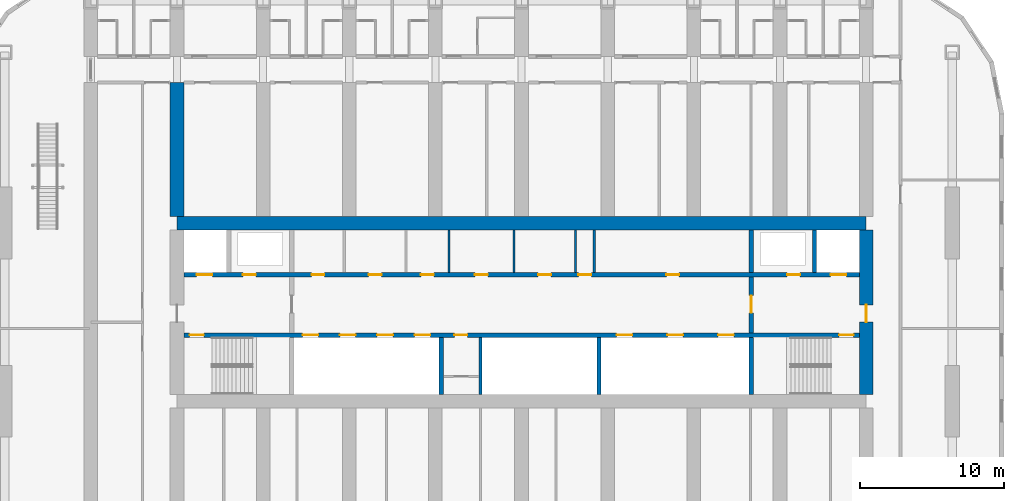
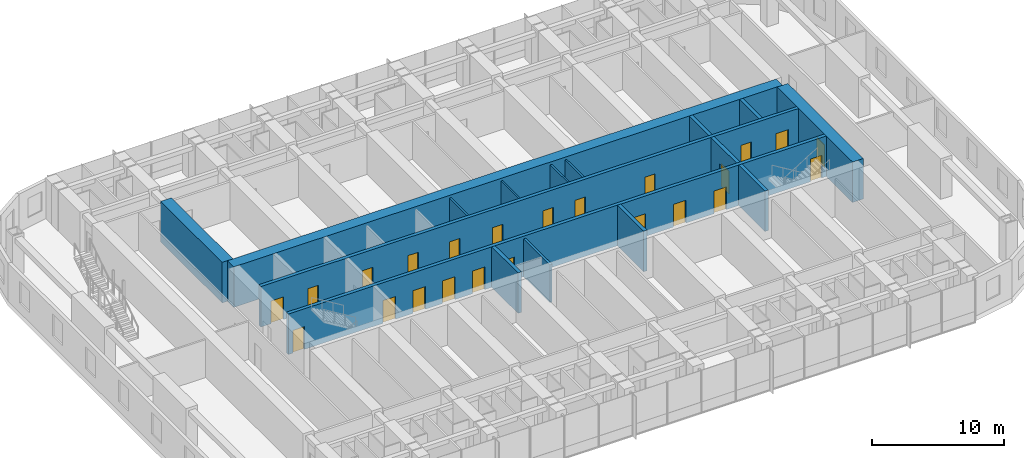
# One storey, part 14 of 25: 23 doors, 16 walls, 23 openings.
"""IFC4 building model written with IfcOpenShell, lengths in metres."""

from ifc_helpers import new_model, si_unit, direction, frame, frame_2d, origin, place, context, subcontext, project, spatial, rectangle, extrude, material, layer, layer_set, type_object, element, fill, save


model = new_model("IFC4")

# Units and contexts
model_context = context("Model", 3, precision=1e-05, world=origin(), true_north=direction((0.0, 1.0)))
body_context = subcontext(model_context, "Body", "Model", "MODEL_VIEW")
ifc_project = project(units=[si_unit("LENGTHUNIT", "METRE"), si_unit("AREAUNIT", "SQUARE_METRE"), si_unit("VOLUMEUNIT", "CUBIC_METRE"), si_unit("PLANEANGLEUNIT", "RADIAN"), si_unit("MASSUNIT", "GRAM", prefix="KILO")], contexts=[model_context])

# Site, building, storey
site_placement = place(None, origin())
site = spatial("IfcSite", under=ifc_project, at=site_placement, CompositionType="ELEMENT")
building_placement = place(site_placement, origin())
building = spatial("IfcBuilding", under=site, at=building_placement, Name="Orbita Commons", CompositionType="ELEMENT")
storey_placement = place(building_placement, frame((0.0, 0.0, 84.39990234375)))
storey = spatial("IfcBuildingStorey", under=building, at=storey_placement, Name="L20", CompositionType="ELEMENT", Elevation=84.39990234375)

# Wall, openings, doors
ifc_material_1 = material(Name="Concrete C50/60", Category="concrete")
ifc_layer_1 = layer(ifc_material_1, 0.300048828125)
ifc_layer_set_1 = layer_set([ifc_layer_1], Name="Concrete C50/60")
wall_type_1 = type_object("IfcWallType", Name="Core inner wall 300 C50/60", PredefinedType="SHEAR", material=ifc_layer_set_1)
wall_1_placement = place(storey_placement, frame((18.47509765625, 30.39990234375, 0.0), z_axis=(0.0, 0.0, 1.0), x_axis=(1.0, 0.0, 0.0)))
wall_1 = element("IfcWall", 1, at=wall_1_placement, inside=storey, type_object=wall_type_1, Name="Lobby wall south L20", PredefinedType="SHEAR", context=body_context, shape_type="SweptSolid", body=[
    extrude(rectangle(XDim=47.0498046875, YDim=0.300048828125, at=frame_2d((23.52490234375, 0.0))), origin(), (0.0, 0.0, 1.0), 3.75),
])
opening_1_placement = place(wall_1_placement, frame((0.39990234375, 0.0, 0.0)))
opening_1 = element("IfcOpeningElement", 2, at=opening_1_placement, cuts=wall_1, Name="Opening D02", PredefinedType="OPENING", context=body_context, shape_type="SweptSolid", body=[
    extrude(rectangle(XDim=1.0, YDim=2.10009765625, at=frame_2d((0.5, 1.050048828125))), frame((0.0, 0.159912109375, 0.0), z_axis=(0.0, -1.0, 0.0), x_axis=(1.0, 0.0, 0.0)), (0.0, 0.0, 1.0), 0.320068359375),
])
opening_2_placement = place(wall_1_placement, frame((45.64990234375, 0.0, 0.0)))
opening_2 = element("IfcOpeningElement", 3, at=opening_2_placement, cuts=wall_1, Name="Opening D02", PredefinedType="OPENING", context=body_context, shape_type="SweptSolid", body=[
    extrude(rectangle(XDim=1.0, YDim=2.10009765625, at=frame_2d((0.5, 1.050048828125))), frame((0.0, 0.159912109375, 0.0), z_axis=(0.0, -1.0, 0.0), x_axis=(1.0, 0.0, 0.0)), (0.0, 0.0, 1.0), 0.320068359375),
])
opening_3_placement = place(wall_1_placement, frame((8.27490234375, 0.0, 0.0)))
opening_3 = element("IfcOpeningElement", 4, at=opening_3_placement, cuts=wall_1, Name="Opening LD02", PredefinedType="OPENING", context=body_context, shape_type="SweptSolid", body=[
    extrude(rectangle(XDim=1.10009765625, YDim=2.10009765625, at=frame_2d((0.550048828125, 1.050048828125))), frame((0.0, 0.159912109375, 0.0), z_axis=(0.0, -1.0, 0.0), x_axis=(1.0, 0.0, 0.0)), (0.0, 0.0, 1.0), 0.320068359375),
])
opening_4_placement = place(wall_1_placement, frame((10.875, 0.0, 0.0)))
opening_4 = element("IfcOpeningElement", 5, at=opening_4_placement, cuts=wall_1, Name="Opening LD02", PredefinedType="OPENING", context=body_context, shape_type="SweptSolid", body=[
    extrude(rectangle(XDim=1.10009765625, YDim=2.10009765625, at=frame_2d((0.550048828125, 1.050048828125))), frame((0.0, 0.159912109375, 0.0), z_axis=(0.0, -1.0, 0.0), x_axis=(1.0, 0.0, 0.0)), (0.0, 0.0, 1.0), 0.320068359375),
])
opening_5_placement = place(wall_1_placement, frame((13.47509765625, 0.0, 0.0)))
opening_5 = element("IfcOpeningElement", 6, at=opening_5_placement, cuts=wall_1, Name="Opening LD02", PredefinedType="OPENING", context=body_context, shape_type="SweptSolid", body=[
    extrude(rectangle(XDim=1.10009765625, YDim=2.10009765625, at=frame_2d((0.550048828125, 1.050048828125))), frame((0.0, 0.159912109375, 0.0), z_axis=(0.0, -1.0, 0.0), x_axis=(1.0, 0.0, 0.0)), (0.0, 0.0, 1.0), 0.320068359375),
])
opening_6_placement = place(wall_1_placement, frame((16.074951171875, 0.0, 0.0)))
opening_6 = element("IfcOpeningElement", 7, at=opening_6_placement, cuts=wall_1, Name="Opening LD02", PredefinedType="OPENING", context=body_context, shape_type="SweptSolid", body=[
    extrude(rectangle(XDim=1.10009765625, YDim=2.10009765625, at=frame_2d((0.550048828125, 1.050048828125))), frame((0.0, 0.159912109375, 0.0), z_axis=(0.0, -1.0, 0.0), x_axis=(1.0, 0.0, 0.0)), (0.0, 0.0, 1.0), 0.320068359375),
])
opening_7_placement = place(wall_1_placement, frame((18.85009765625, 0.0, 0.0)))
opening_7 = element("IfcOpeningElement", 8, at=opening_7_placement, cuts=wall_1, Name="Opening D05", PredefinedType="OPENING", context=body_context, shape_type="SweptSolid", body=[
    extrude(rectangle(XDim=0.89990234375, YDim=2.10009765625, at=frame_2d((0.449951171875, 1.050048828125))), frame((0.0, 0.159912109375, 0.0), z_axis=(0.0, -1.0, 0.0), x_axis=(1.0, 0.0, 0.0)), (0.0, 0.0, 1.0), 0.320068359375),
])
opening_8_placement = place(wall_1_placement, frame((30.1416015625, 0.0, 0.0)))
opening_8 = element("IfcOpeningElement", 9, at=opening_8_placement, cuts=wall_1, Name="Opening LD02", PredefinedType="OPENING", context=body_context, shape_type="SweptSolid", body=[
    extrude(rectangle(XDim=1.10009765625, YDim=2.10009765625, at=frame_2d((0.550048828125, 1.050048828125))), frame((0.0, 0.159912109375, 0.0), z_axis=(0.0, -1.0, 0.0), x_axis=(1.0, 0.0, 0.0)), (0.0, 0.0, 1.0), 0.320068359375),
])
opening_9_placement = place(wall_1_placement, frame((33.675048828125, 0.0, 0.0)))
opening_9 = element("IfcOpeningElement", 10, at=opening_9_placement, cuts=wall_1, Name="Opening LD02", PredefinedType="OPENING", context=body_context, shape_type="SweptSolid", body=[
    extrude(rectangle(XDim=1.10009765625, YDim=2.10009765625, at=frame_2d((0.550048828125, 1.050048828125))), frame((0.0, 0.159912109375, 0.0), z_axis=(0.0, -1.0, 0.0), x_axis=(1.0, 0.0, 0.0)), (0.0, 0.0, 1.0), 0.320068359375),
])
opening_10_placement = place(wall_1_placement, frame((37.208251953125, 0.0, 0.0)))
opening_10 = element("IfcOpeningElement", 11, at=opening_10_placement, cuts=wall_1, Name="Opening LD02", PredefinedType="OPENING", context=body_context, shape_type="SweptSolid", body=[
    extrude(rectangle(XDim=1.10009765625, YDim=2.10009765625, at=frame_2d((0.550048828125, 1.050048828125))), frame((0.0, 0.159912109375, 0.0), z_axis=(0.0, -1.0, 0.0), x_axis=(1.0, 0.0, 0.0)), (0.0, 0.0, 1.0), 0.320068359375),
])
ifc_material_2 = material(Name="Steel-faced fire door leaf", Category="steel")
door_type_1 = type_object("IfcDoorType", Name="Fire door 90 min 1000x2100", OperationType="SINGLE_SWING_LEFT", PredefinedType="DOOR", material=ifc_material_2)
door_1_placement = place(opening_1_placement, origin())
door_1 = element("IfcDoor", 12, at=door_1_placement, inside=storey, type_object=door_type_1, Name="Stair S1 door", OperationType="SINGLE_SWING_LEFT", OverallHeight=2.10009765625, OverallWidth=1.0, PredefinedType="DOOR", context=body_context, shape_type="SweptSolid", body=[
    extrude(rectangle(XDim=1.0, YDim=2.10009765625, at=frame_2d((0.5, 1.050048828125))), frame((0.0, 0.02490234375, 0.0), z_axis=(0.0, -1.0, 0.0), x_axis=(1.0, 0.0, 0.0)), (0.0, 0.0, 1.0), 0.050048828125),
])
fill(opening_1, door_1)
door_2_placement = place(opening_2_placement, origin())
door_2 = element("IfcDoor", 13, at=door_2_placement, inside=storey, type_object=door_type_1, Name="Stair S2 door", OperationType="SINGLE_SWING_LEFT", OverallHeight=2.10009765625, OverallWidth=1.0, PredefinedType="DOOR", context=body_context, shape_type="SweptSolid", body=[
    extrude(rectangle(XDim=1.0, YDim=2.10009765625, at=frame_2d((0.5, 1.050048828125))), frame((0.0, 0.02490234375, 0.0), z_axis=(0.0, -1.0, 0.0), x_axis=(1.0, 0.0, 0.0)), (0.0, 0.0, 1.0), 0.050048828125),
])
fill(opening_2, door_2)
ifc_material_3 = material(Name="Steel-faced fire door leaf", Category="steel")
door_type_2 = type_object("IfcDoorType", Name="Lift landing door 1100x2100", OperationType="DOUBLE_DOOR_SLIDING", PredefinedType="DOOR", material=ifc_material_3)
door_3_placement = place(opening_3_placement, origin())
door_3 = element("IfcDoor", 14, at=door_3_placement, inside=storey, type_object=door_type_2, Name="Lift P21 landing door", OperationType="DOUBLE_DOOR_SLIDING", OverallHeight=2.10009765625, OverallWidth=1.10009765625, PredefinedType="DOOR", context=body_context, shape_type="SweptSolid", body=[
    extrude(rectangle(XDim=1.10009765625, YDim=2.10009765625, at=frame_2d((0.550048828125, 1.050048828125))), frame((0.0, 0.02490234375, 0.0), z_axis=(0.0, -1.0, 0.0), x_axis=(1.0, 0.0, 0.0)), (0.0, 0.0, 1.0), 0.050048828125),
])
fill(opening_3, door_3)
door_4_placement = place(opening_4_placement, origin())
door_4 = element("IfcDoor", 15, at=door_4_placement, inside=storey, type_object=door_type_2, Name="Lift P22 landing door", OperationType="DOUBLE_DOOR_SLIDING", OverallHeight=2.10009765625, OverallWidth=1.10009765625, PredefinedType="DOOR", context=body_context, shape_type="SweptSolid", body=[
    extrude(rectangle(XDim=1.10009765625, YDim=2.10009765625, at=frame_2d((0.550048828125, 1.050048828125))), frame((0.0, 0.02490234375, 0.0), z_axis=(0.0, -1.0, 0.0), x_axis=(1.0, 0.0, 0.0)), (0.0, 0.0, 1.0), 0.050048828125),
])
fill(opening_4, door_4)
door_5_placement = place(opening_5_placement, origin())
door_5 = element("IfcDoor", 16, at=door_5_placement, inside=storey, type_object=door_type_2, Name="Lift P23 landing door", OperationType="DOUBLE_DOOR_SLIDING", OverallHeight=2.10009765625, OverallWidth=1.10009765625, PredefinedType="DOOR", context=body_context, shape_type="SweptSolid", body=[
    extrude(rectangle(XDim=1.10009765625, YDim=2.10009765625, at=frame_2d((0.550048828125, 1.050048828125))), frame((0.0, 0.02490234375, 0.0), z_axis=(0.0, -1.0, 0.0), x_axis=(1.0, 0.0, 0.0)), (0.0, 0.0, 1.0), 0.050048828125),
])
fill(opening_5, door_5)
door_6_placement = place(opening_6_placement, origin())
door_6 = element("IfcDoor", 17, at=door_6_placement, inside=storey, type_object=door_type_2, Name="Lift P24 landing door", OperationType="DOUBLE_DOOR_SLIDING", OverallHeight=2.10009765625, OverallWidth=1.10009765625, PredefinedType="DOOR", context=body_context, shape_type="SweptSolid", body=[
    extrude(rectangle(XDim=1.10009765625, YDim=2.10009765625, at=frame_2d((0.550048828125, 1.050048828125))), frame((0.0, 0.02490234375, 0.0), z_axis=(0.0, -1.0, 0.0), x_axis=(1.0, 0.0, 0.0)), (0.0, 0.0, 1.0), 0.050048828125),
])
fill(opening_6, door_6)
door_7_placement = place(opening_8_placement, origin())
door_7 = element("IfcDoor", 18, at=door_7_placement, inside=storey, type_object=door_type_2, Name="Lift SV1 landing door", OperationType="DOUBLE_DOOR_SLIDING", OverallHeight=2.10009765625, OverallWidth=1.10009765625, PredefinedType="DOOR", context=body_context, shape_type="SweptSolid", body=[
    extrude(rectangle(XDim=1.10009765625, YDim=2.10009765625, at=frame_2d((0.550048828125, 1.050048828125))), frame((0.0, 0.02490234375, 0.0), z_axis=(0.0, -1.0, 0.0), x_axis=(1.0, 0.0, 0.0)), (0.0, 0.0, 1.0), 0.050048828125),
])
fill(opening_8, door_7)
door_8_placement = place(opening_9_placement, origin())
door_8 = element("IfcDoor", 19, at=door_8_placement, inside=storey, type_object=door_type_2, Name="Lift SV2 landing door", OperationType="DOUBLE_DOOR_SLIDING", OverallHeight=2.10009765625, OverallWidth=1.10009765625, PredefinedType="DOOR", context=body_context, shape_type="SweptSolid", body=[
    extrude(rectangle(XDim=1.10009765625, YDim=2.10009765625, at=frame_2d((0.550048828125, 1.050048828125))), frame((0.0, 0.02490234375, 0.0), z_axis=(0.0, -1.0, 0.0), x_axis=(1.0, 0.0, 0.0)), (0.0, 0.0, 1.0), 0.050048828125),
])
fill(opening_9, door_8)
door_9_placement = place(opening_10_placement, origin())
door_9 = element("IfcDoor", 20, at=door_9_placement, inside=storey, type_object=door_type_2, Name="Lift SV3 landing door", OperationType="DOUBLE_DOOR_SLIDING", OverallHeight=2.10009765625, OverallWidth=1.10009765625, PredefinedType="DOOR", context=body_context, shape_type="SweptSolid", body=[
    extrude(rectangle(XDim=1.10009765625, YDim=2.10009765625, at=frame_2d((0.550048828125, 1.050048828125))), frame((0.0, 0.02490234375, 0.0), z_axis=(0.0, -1.0, 0.0), x_axis=(1.0, 0.0, 0.0)), (0.0, 0.0, 1.0), 0.050048828125),
])
fill(opening_10, door_9)
ifc_material_4 = material(Name="Steel-faced fire door leaf", Category="steel")
door_type_3 = type_object("IfcDoorType", Name="Service door 20 min 900x2100", OperationType="SINGLE_SWING_LEFT", PredefinedType="DOOR", material=ifc_material_4)
door_10_placement = place(opening_7_placement, origin())
door_10 = element("IfcDoor", 21, at=door_10_placement, inside=storey, type_object=door_type_3, Name="Linen store door", OperationType="SINGLE_SWING_LEFT", OverallHeight=2.10009765625, OverallWidth=0.89990234375, PredefinedType="DOOR", context=body_context, shape_type="SweptSolid", body=[
    extrude(rectangle(XDim=0.89990234375, YDim=2.10009765625, at=frame_2d((0.449951171875, 1.050048828125))), frame((0.0, 0.02490234375, 0.0), z_axis=(0.0, -1.0, 0.0), x_axis=(1.0, 0.0, 0.0)), (0.0, 0.0, 1.0), 0.050048828125),
])
fill(opening_7, door_10)

wall_2_placement = place(storey_placement, frame((18.47509765625, 34.60009765625, 0.0), z_axis=(0.0, 0.0, 1.0), x_axis=(1.0, 0.0, 0.0)))
wall_2 = element("IfcWall", 22, at=wall_2_placement, inside=storey, type_object=wall_type_1, Name="Lobby wall north L20", PredefinedType="SHEAR", context=body_context, shape_type="SweptSolid", body=[
    extrude(rectangle(XDim=47.0498046875, YDim=0.300048828125, at=frame_2d((23.52490234375, 0.0))), origin(), (0.0, 0.0, 1.0), 3.75),
])
opening_11_placement = place(wall_2_placement, frame((0.89990234375, 0.0, 0.0)))
opening_11 = element("IfcOpeningElement", 23, at=opening_11_placement, cuts=wall_2, Name="Opening LD01", PredefinedType="OPENING", context=body_context, shape_type="SweptSolid", body=[
    extrude(rectangle(XDim=1.10009765625, YDim=2.10009765625, at=frame_2d((0.550048828125, 1.050048828125))), frame((0.0, 0.159912109375, 0.0), z_axis=(0.0, -1.0, 0.0), x_axis=(1.0, 0.0, 0.0)), (0.0, 0.0, 1.0), 0.320068359375),
])
opening_12_placement = place(wall_2_placement, frame((45.050048828125, 0.0, 0.0)))
opening_12 = element("IfcOpeningElement", 24, at=opening_12_placement, cuts=wall_2, Name="Opening LD01", PredefinedType="OPENING", context=body_context, shape_type="SweptSolid", body=[
    extrude(rectangle(XDim=1.10009765625, YDim=2.10009765625, at=frame_2d((0.550048828125, 1.050048828125))), frame((0.0, 0.159912109375, 0.0), z_axis=(0.0, -1.0, 0.0), x_axis=(1.0, 0.0, 0.0)), (0.0, 0.0, 1.0), 0.320068359375),
])
opening_13_placement = place(wall_2_placement, frame((4.125, 0.0, 0.0)))
opening_13 = element("IfcOpeningElement", 25, at=opening_13_placement, cuts=wall_2, Name="Opening D03", PredefinedType="OPENING", context=body_context, shape_type="SweptSolid", body=[
    extrude(rectangle(XDim=0.89990234375, YDim=2.10009765625, at=frame_2d((0.449951171875, 1.050048828125))), frame((0.0, 0.159912109375, 0.0), z_axis=(0.0, -1.0, 0.0), x_axis=(1.0, 0.0, 0.0)), (0.0, 0.0, 1.0), 0.320068359375),
])
opening_14_placement = place(wall_2_placement, frame((42.02490234375, 0.0, 0.0)))
opening_14 = element("IfcOpeningElement", 26, at=opening_14_placement, cuts=wall_2, Name="Opening D03", PredefinedType="OPENING", context=body_context, shape_type="SweptSolid", body=[
    extrude(rectangle(XDim=0.89990234375, YDim=2.10009765625, at=frame_2d((0.449951171875, 1.050048828125))), frame((0.0, 0.159912109375, 0.0), z_axis=(0.0, -1.0, 0.0), x_axis=(1.0, 0.0, 0.0)), (0.0, 0.0, 1.0), 0.320068359375),
])
opening_15_placement = place(wall_2_placement, frame((8.900390625, 0.0, 0.0)))
opening_15 = element("IfcOpeningElement", 27, at=opening_15_placement, cuts=wall_2, Name="Opening D05", PredefinedType="OPENING", context=body_context, shape_type="SweptSolid", body=[
    extrude(rectangle(XDim=0.89990234375, YDim=2.10009765625, at=frame_2d((0.449951171875, 1.050048828125))), frame((0.0, 0.159912109375, 0.0), z_axis=(0.0, -1.0, 0.0), x_axis=(1.0, 0.0, 0.0)), (0.0, 0.0, 1.0), 0.320068359375),
])
opening_16_placement = place(wall_2_placement, frame((12.873779296875, 0.0, 0.0)))
opening_16 = element("IfcOpeningElement", 28, at=opening_16_placement, cuts=wall_2, Name="Opening D03", PredefinedType="OPENING", context=body_context, shape_type="SweptSolid", body=[
    extrude(rectangle(XDim=0.89990234375, YDim=2.10009765625, at=frame_2d((0.449951171875, 1.050048828125))), frame((0.0, 0.159912109375, 0.0), z_axis=(0.0, -1.0, 0.0), x_axis=(1.0, 0.0, 0.0)), (0.0, 0.0, 1.0), 0.320068359375),
])
opening_17_placement = place(wall_2_placement, frame((16.521240234375, 0.0, 0.0)))
opening_17 = element("IfcOpeningElement", 29, at=opening_17_placement, cuts=wall_2, Name="Opening D03", PredefinedType="OPENING", context=body_context, shape_type="SweptSolid", body=[
    extrude(rectangle(XDim=0.89990234375, YDim=2.10009765625, at=frame_2d((0.449951171875, 1.050048828125))), frame((0.0, 0.159912109375, 0.0), z_axis=(0.0, -1.0, 0.0), x_axis=(1.0, 0.0, 0.0)), (0.0, 0.0, 1.0), 0.320068359375),
])
opening_18_placement = place(wall_2_placement, frame((20.27978515625, 0.0, 0.0)))
opening_18 = element("IfcOpeningElement", 30, at=opening_18_placement, cuts=wall_2, Name="Opening D05", PredefinedType="OPENING", context=body_context, shape_type="SweptSolid", body=[
    extrude(rectangle(XDim=0.89990234375, YDim=2.10009765625, at=frame_2d((0.449951171875, 1.050048828125))), frame((0.0, 0.159912109375, 0.0), z_axis=(0.0, -1.0, 0.0), x_axis=(1.0, 0.0, 0.0)), (0.0, 0.0, 1.0), 0.320068359375),
])
opening_19_placement = place(wall_2_placement, frame((24.685791015625, 0.0, 0.0)))
opening_19 = element("IfcOpeningElement", 31, at=opening_19_placement, cuts=wall_2, Name="Opening D03", PredefinedType="OPENING", context=body_context, shape_type="SweptSolid", body=[
    extrude(rectangle(XDim=0.89990234375, YDim=2.10009765625, at=frame_2d((0.449951171875, 1.050048828125))), frame((0.0, 0.159912109375, 0.0), z_axis=(0.0, -1.0, 0.0), x_axis=(1.0, 0.0, 0.0)), (0.0, 0.0, 1.0), 0.320068359375),
])
opening_20_placement = place(wall_2_placement, frame((27.4833984375, 0.0, 0.0)))
opening_20 = element("IfcOpeningElement", 32, at=opening_20_placement, cuts=wall_2, Name="Opening D03", PredefinedType="OPENING", context=body_context, shape_type="SweptSolid", body=[
    extrude(rectangle(XDim=0.89990234375, YDim=2.10009765625, at=frame_2d((0.449951171875, 1.050048828125))), frame((0.0, 0.159912109375, 0.0), z_axis=(0.0, -1.0, 0.0), x_axis=(1.0, 0.0, 0.0)), (0.0, 0.0, 1.0), 0.320068359375),
])
opening_21_placement = place(wall_2_placement, frame((33.604248046875, 0.0, 0.0)))
opening_21 = element("IfcOpeningElement", 33, at=opening_21_placement, cuts=wall_2, Name="Opening D03", PredefinedType="OPENING", context=body_context, shape_type="SweptSolid", body=[
    extrude(rectangle(XDim=0.89990234375, YDim=2.10009765625, at=frame_2d((0.449951171875, 1.050048828125))), frame((0.0, 0.159912109375, 0.0), z_axis=(0.0, -1.0, 0.0), x_axis=(1.0, 0.0, 0.0)), (0.0, 0.0, 1.0), 0.320068359375),
])
ifc_material_5 = material(Name="Steel-faced fire door leaf", Category="steel")
door_type_4 = type_object("IfcDoorType", Name="Firefighting lift landing door 1100x2100", OperationType="DOUBLE_DOOR_SLIDING", PredefinedType="DOOR", material=ifc_material_5)
door_11_placement = place(opening_11_placement, origin())
door_11 = element("IfcDoor", 34, at=door_11_placement, inside=storey, type_object=door_type_4, Name="Firefighting lift FL1 landing door", OperationType="DOUBLE_DOOR_SLIDING", OverallHeight=2.10009765625, OverallWidth=1.10009765625, PredefinedType="DOOR", context=body_context, shape_type="SweptSolid", body=[
    extrude(rectangle(XDim=1.10009765625, YDim=2.10009765625, at=frame_2d((0.550048828125, 1.050048828125))), frame((0.0, 0.02490234375, 0.0), z_axis=(0.0, -1.0, 0.0), x_axis=(1.0, 0.0, 0.0)), (0.0, 0.0, 1.0), 0.050048828125),
])
fill(opening_11, door_11)
door_12_placement = place(opening_12_placement, origin())
door_12 = element("IfcDoor", 35, at=door_12_placement, inside=storey, type_object=door_type_4, Name="Firefighting lift FL2 landing door", OperationType="DOUBLE_DOOR_SLIDING", OverallHeight=2.10009765625, OverallWidth=1.10009765625, PredefinedType="DOOR", context=body_context, shape_type="SweptSolid", body=[
    extrude(rectangle(XDim=1.10009765625, YDim=2.10009765625, at=frame_2d((0.550048828125, 1.050048828125))), frame((0.0, 0.02490234375, 0.0), z_axis=(0.0, -1.0, 0.0), x_axis=(1.0, 0.0, 0.0)), (0.0, 0.0, 1.0), 0.050048828125),
])
fill(opening_12, door_12)
door_13_placement = place(opening_15_placement, origin())
door_13 = element("IfcDoor", 36, at=door_13_placement, inside=storey, type_object=door_type_3, Name="Staff WC door", OperationType="SINGLE_SWING_LEFT", OverallHeight=2.10009765625, OverallWidth=0.89990234375, PredefinedType="DOOR", context=body_context, shape_type="SweptSolid", body=[
    extrude(rectangle(XDim=0.89990234375, YDim=2.10009765625, at=frame_2d((0.449951171875, 1.050048828125))), frame((0.0, 0.02490234375, 0.0), z_axis=(0.0, -1.0, 0.0), x_axis=(1.0, 0.0, 0.0)), (0.0, 0.0, 1.0), 0.050048828125),
])
fill(opening_15, door_13)
door_14_placement = place(opening_18_placement, origin())
door_14 = element("IfcDoor", 37, at=door_14_placement, inside=storey, type_object=door_type_3, Name="Accessible WC door", OperationType="SINGLE_SWING_LEFT", OverallHeight=2.10009765625, OverallWidth=0.89990234375, PredefinedType="DOOR", context=body_context, shape_type="SweptSolid", body=[
    extrude(rectangle(XDim=0.89990234375, YDim=2.10009765625, at=frame_2d((0.449951171875, 1.050048828125))), frame((0.0, 0.02490234375, 0.0), z_axis=(0.0, -1.0, 0.0), x_axis=(1.0, 0.0, 0.0)), (0.0, 0.0, 1.0), 0.050048828125),
])
fill(opening_18, door_14)
ifc_material_6 = material(Name="Steel-faced fire door leaf", Category="steel")
door_type_5 = type_object("IfcDoorType", Name="Shaft access door 90 min 900x2100", OperationType="SINGLE_SWING_LEFT", PredefinedType="DOOR", material=ifc_material_6)
door_15_placement = place(opening_13_placement, origin())
door_15 = element("IfcDoor", 38, at=door_15_placement, inside=storey, type_object=door_type_5, Name="Riser door west", OperationType="SINGLE_SWING_LEFT", OverallHeight=2.10009765625, OverallWidth=0.89990234375, PredefinedType="DOOR", context=body_context, shape_type="SweptSolid", body=[
    extrude(rectangle(XDim=0.89990234375, YDim=2.10009765625, at=frame_2d((0.449951171875, 1.050048828125))), frame((0.0, 0.02490234375, 0.0), z_axis=(0.0, -1.0, 0.0), x_axis=(1.0, 0.0, 0.0)), (0.0, 0.0, 1.0), 0.050048828125),
])
fill(opening_13, door_15)
door_16_placement = place(opening_14_placement, origin())
door_16 = element("IfcDoor", 39, at=door_16_placement, inside=storey, type_object=door_type_5, Name="Riser door east", OperationType="SINGLE_SWING_LEFT", OverallHeight=2.10009765625, OverallWidth=0.89990234375, PredefinedType="DOOR", context=body_context, shape_type="SweptSolid", body=[
    extrude(rectangle(XDim=0.89990234375, YDim=2.10009765625, at=frame_2d((0.449951171875, 1.050048828125))), frame((0.0, 0.02490234375, 0.0), z_axis=(0.0, -1.0, 0.0), x_axis=(1.0, 0.0, 0.0)), (0.0, 0.0, 1.0), 0.050048828125),
])
fill(opening_14, door_16)
door_17_placement = place(opening_16_placement, origin())
door_17 = element("IfcDoor", 40, at=door_17_placement, inside=storey, type_object=door_type_5, Name="Refuse chute room door", OperationType="SINGLE_SWING_LEFT", OverallHeight=2.10009765625, OverallWidth=0.89990234375, PredefinedType="DOOR", context=body_context, shape_type="SweptSolid", body=[
    extrude(rectangle(XDim=0.89990234375, YDim=2.10009765625, at=frame_2d((0.449951171875, 1.050048828125))), frame((0.0, 0.02490234375, 0.0), z_axis=(0.0, -1.0, 0.0), x_axis=(1.0, 0.0, 0.0)), (0.0, 0.0, 1.0), 0.050048828125),
])
fill(opening_16, door_17)
door_18_placement = place(opening_17_placement, origin())
door_18 = element("IfcDoor", 41, at=door_18_placement, inside=storey, type_object=door_type_5, Name="Electrical riser room door", OperationType="SINGLE_SWING_LEFT", OverallHeight=2.10009765625, OverallWidth=0.89990234375, PredefinedType="DOOR", context=body_context, shape_type="SweptSolid", body=[
    extrude(rectangle(XDim=0.89990234375, YDim=2.10009765625, at=frame_2d((0.449951171875, 1.050048828125))), frame((0.0, 0.02490234375, 0.0), z_axis=(0.0, -1.0, 0.0), x_axis=(1.0, 0.0, 0.0)), (0.0, 0.0, 1.0), 0.050048828125),
])
fill(opening_17, door_18)
door_19_placement = place(opening_19_placement, origin())
door_19 = element("IfcDoor", 42, at=door_19_placement, inside=storey, type_object=door_type_5, Name="Communications room door", OperationType="SINGLE_SWING_LEFT", OverallHeight=2.10009765625, OverallWidth=0.89990234375, PredefinedType="DOOR", context=body_context, shape_type="SweptSolid", body=[
    extrude(rectangle(XDim=0.89990234375, YDim=2.10009765625, at=frame_2d((0.449951171875, 1.050048828125))), frame((0.0, 0.02490234375, 0.0), z_axis=(0.0, -1.0, 0.0), x_axis=(1.0, 0.0, 0.0)), (0.0, 0.0, 1.0), 0.050048828125),
])
fill(opening_19, door_19)
door_20_placement = place(opening_20_placement, origin())
door_20 = element("IfcDoor", 43, at=door_20_placement, inside=storey, type_object=door_type_5, Name="Stair pressurisation duct door", OperationType="SINGLE_SWING_LEFT", OverallHeight=2.10009765625, OverallWidth=0.89990234375, PredefinedType="DOOR", context=body_context, shape_type="SweptSolid", body=[
    extrude(rectangle(XDim=0.89990234375, YDim=2.10009765625, at=frame_2d((0.449951171875, 1.050048828125))), frame((0.0, 0.02490234375, 0.0), z_axis=(0.0, -1.0, 0.0), x_axis=(1.0, 0.0, 0.0)), (0.0, 0.0, 1.0), 0.050048828125),
])
fill(opening_20, door_20)
door_21_placement = place(opening_21_placement, origin())
door_21 = element("IfcDoor", 44, at=door_21_placement, inside=storey, type_object=door_type_5, Name="Linen and housekeeping store door", OperationType="SINGLE_SWING_LEFT", OverallHeight=2.10009765625, OverallWidth=0.89990234375, PredefinedType="DOOR", context=body_context, shape_type="SweptSolid", body=[
    extrude(rectangle(XDim=0.89990234375, YDim=2.10009765625, at=frame_2d((0.449951171875, 1.050048828125))), frame((0.0, 0.02490234375, 0.0), z_axis=(0.0, -1.0, 0.0), x_axis=(1.0, 0.0, 0.0)), (0.0, 0.0, 1.0), 0.050048828125),
])
fill(opening_21, door_21)

# Wall
wall_3_placement = place(storey_placement, frame((58.0, 26.27490234375, 0.0), z_axis=(0.0, 0.0, 1.0), x_axis=(0.0, 1.0, 0.0)))
element("IfcWall", 45, at=wall_3_placement, inside=storey, type_object=wall_type_1, Name="Stair S2 wall L20", PredefinedType="SHEAR", context=body_context, shape_type="SweptSolid", body=[
    extrude(rectangle(XDim=3.97509765625, YDim=0.300048828125, at=frame_2d((1.987548828125, 0.0))), origin(), (0.0, 0.0, 1.0), 3.75),
])

# Wall, opening, door
wall_4_placement = place(storey_placement, frame((58.0, 30.550048828125, 0.0), z_axis=(0.0, 0.0, 1.0), x_axis=(0.0, 1.0, 0.0)))
wall_4 = element("IfcWall", 46, at=wall_4_placement, inside=storey, type_object=wall_type_1, Name="Firefighting lobby wall east L20", PredefinedType="SHEAR", context=body_context, shape_type="SweptSolid", body=[
    extrude(rectangle(XDim=3.89990234375, YDim=0.300048828125, at=frame_2d((1.949951171875, 0.0))), origin(), (0.0, 0.0, 1.0), 3.75),
])
opening_22_placement = place(wall_4_placement, frame((1.39990234375, 0.0, 0.0)))
opening_22 = element("IfcOpeningElement", 47, at=opening_22_placement, cuts=wall_4, Name="Opening D04", PredefinedType="OPENING", context=body_context, shape_type="SweptSolid", body=[
    extrude(rectangle(XDim=1.199951171875, YDim=2.10009765625, at=frame_2d((0.60009765625, 1.050048828125))), frame((0.0, 0.159912109375, 0.0), z_axis=(0.0, -1.0, 0.0), x_axis=(1.0, 0.0, 0.0)), (0.0, 0.0, 1.0), 0.320068359375),
])
ifc_material_7 = material(Name="Steel-faced fire door leaf", Category="steel")
door_type_6 = type_object("IfcDoorType", Name="Service door 20 min 1200x2100", OperationType="SINGLE_SWING_LEFT", PredefinedType="DOOR", material=ifc_material_7)
door_22_placement = place(opening_22_placement, origin())
door_22 = element("IfcDoor", 48, at=door_22_placement, inside=storey, type_object=door_type_6, Name="Lift lobby door east", OperationType="SINGLE_SWING_LEFT", OverallHeight=2.10009765625, OverallWidth=1.199951171875, PredefinedType="DOOR", context=body_context, shape_type="SweptSolid", body=[
    extrude(rectangle(XDim=1.199951171875, YDim=2.10009765625, at=frame_2d((0.60009765625, 1.050048828125))), frame((0.0, 0.02490234375, 0.0), z_axis=(0.0, -1.0, 0.0), x_axis=(1.0, 0.0, 0.0)), (0.0, 0.0, 1.0), 0.050048828125),
])
fill(opening_22, door_22)

# Walls
for number, where, z_axis, x_axis, name in (
    (49, (62.39990234375, 34.75, 0.0), (0.0, 0.0, 1.0), (0.0, 1.0, 0.0), "Firefighting lift FL2 shaft wall L20"),
    (50, (58.0, 34.75, 0.0), (0.0, 0.0, 1.0), (0.0, 1.0, 0.0), "Riser wall east L20"),
):
    element("IfcWall", number, at=place(storey_placement, frame(where, z_axis=z_axis, x_axis=x_axis)), inside=storey, type_object=wall_type_1, Name=name, PredefinedType="SHEAR", context=body_context, shape_type="SweptSolid", body=[
        extrude(rectangle(XDim=2.97509765625, YDim=0.300048828125, at=frame_2d((1.487548828125, 0.0))), origin(), (0.0, 0.0, 1.0), 3.75),
    ])
for number, where, z_axis, x_axis, name in (
    (51, (36.39990234375, 26.27490234375, 0.0), (0.0, 0.0, 1.0), (0.0, 1.0, 0.0), "Hoistway division wall L20"),
    (52, (47.39990234375, 26.27490234375, 0.0), (0.0, 0.0, 1.0), (0.0, 1.0, 0.0), "Hoistway division wall L20"),
):
    element("IfcWall", number, at=place(storey_placement, frame(where, z_axis=z_axis, x_axis=x_axis)), inside=storey, type_object=wall_type_1, Name=name, PredefinedType="SHEAR", context=body_context, shape_type="SweptSolid", body=[
        extrude(rectangle(XDim=3.97509765625, YDim=0.300048828125, at=frame_2d((1.987548828125, 0.0))), origin(), (0.0, 0.0, 1.0), 3.75),
    ])
ifc_material_8 = material(Name="Concrete blockwork", Category="masonry")
ifc_layer_2 = layer(ifc_material_8, 0.14990234375)
ifc_layer_set_2 = layer_set([ifc_layer_2], Name="Concrete blockwork")
wall_type_2 = type_object("IfcWallType", Name="Core partition 150 blockwork", PredefinedType="SOLIDWALL", material=ifc_layer_set_2)
for number, where, z_axis, x_axis, name in (
    (53, (36.9462890625, 34.75, 0.0), (0.0, 0.0, 1.0), (0.0, 1.0, 0.0), "Core partition 150 blockwork L20"),
    (54, (41.463134765625, 34.75, 0.0), (0.0, 0.0, 1.0), (0.0, 1.0, 0.0), "Core partition 150 blockwork L20"),
    (55, (45.75830078125, 34.75, 0.0), (0.0, 0.0, 1.0), (0.0, 1.0, 0.0), "Core partition 150 blockwork L20"),
    (56, (47.058349609375, 34.75, 0.0), (0.0, 0.0, 1.0), (0.0, 1.0, 0.0), "Core partition 150 blockwork L20"),
):
    element("IfcWall", number, at=place(storey_placement, frame(where, z_axis=z_axis, x_axis=x_axis)), inside=storey, type_object=wall_type_2, Name=name, PredefinedType="SOLIDWALL", context=body_context, shape_type="SweptSolid", body=[
        extrude(rectangle(XDim=2.97509765625, YDim=0.14990234375, at=frame_2d((1.487548828125, 0.0))), origin(), (0.0, 0.0, 1.0), 3.5),
    ])
ifc_material_9 = material(Name="Concrete C50/60", Category="concrete")
ifc_layer_3 = layer(ifc_material_9, 0.949951171875)
ifc_layer_set_3 = layer_set([ifc_layer_3], Name="Concrete C50/60")
wall_type_3 = type_object("IfcWallType", Name="Core wall 950 C50/60", PredefinedType="SHEAR", material=ifc_layer_set_3)
wall_5_placement = place(storey_placement, frame((18.0, 38.199951171875, 0.0), z_axis=(0.0, 0.0, 1.0), x_axis=(1.0, 0.0, 0.0)))
element("IfcWall", 57, at=wall_5_placement, inside=storey, type_object=wall_type_3, Name="Core spine wall north L20", PredefinedType="SHEAR", context=body_context, shape_type="SweptSolid", body=[
    extrude(rectangle(XDim=48.0, YDim=0.949951171875, at=frame_2d((24.0, 0.0))), origin(), (0.0, 0.0, 1.0), 3.75),
])

# Wall, opening, door
wall_6_placement = place(storey_placement, frame((66.0, 26.27490234375, 0.0), z_axis=(0.0, 0.0, 1.0), x_axis=(0.0, 1.0, 0.0)))
wall_6 = element("IfcWall", 58, at=wall_6_placement, inside=storey, type_object=wall_type_3, Name="Core end wall east L20", PredefinedType="SHEAR", context=body_context, shape_type="SweptSolid", body=[
    extrude(rectangle(XDim=11.4501953125, YDim=0.949951171875, at=frame_2d((5.72509765625, 0.0))), origin(), (0.0, 0.0, 1.0), 3.75),
])
opening_23_placement = place(wall_6_placement, frame((5.02490234375, 0.0, 0.0)))
opening_23 = element("IfcOpeningElement", 59, at=opening_23_placement, cuts=wall_6, Name="Opening D01", PredefinedType="OPENING", context=body_context, shape_type="SweptSolid", body=[
    extrude(rectangle(XDim=1.199951171875, YDim=2.10009765625, at=frame_2d((0.60009765625, 1.050048828125))), frame((0.0, 0.48486328125, 0.0), z_axis=(0.0, -1.0, 0.0), x_axis=(1.0, 0.0, 0.0)), (0.0, 0.0, 1.0), 0.969970703125),
])
ifc_material_10 = material(Name="Steel-faced fire door leaf", Category="steel")
door_type_7 = type_object("IfcDoorType", Name="Fire door 90 min 1200x2100", OperationType="SINGLE_SWING_LEFT", PredefinedType="DOOR", material=ifc_material_10)
door_23_placement = place(opening_23_placement, origin())
door_23 = element("IfcDoor", 60, at=door_23_placement, inside=storey, type_object=door_type_7, Name="Firefighting lobby east door", OperationType="SINGLE_SWING_LEFT", OverallHeight=2.10009765625, OverallWidth=1.199951171875, PredefinedType="DOOR", context=body_context, shape_type="SweptSolid", body=[
    extrude(rectangle(XDim=1.199951171875, YDim=2.10009765625, at=frame_2d((0.60009765625, 1.050048828125))), frame((0.0, 0.02490234375, 0.0), z_axis=(0.0, -1.0, 0.0), x_axis=(1.0, 0.0, 0.0)), (0.0, 0.0, 1.0), 0.050048828125),
])
fill(opening_23, door_23)

# Walls
ifc_material_11 = material(Name="Concrete C50/60", Category="concrete")
ifc_layer_4 = layer(ifc_material_11, 0.949951171875)
ifc_layer_set_4 = layer_set([ifc_layer_4], Name="Concrete C50/60")
wall_type_4 = type_object("IfcWallType", Name="Cross wall 950 C50/60", PredefinedType="SHEAR", material=ifc_layer_set_4)
wall_7_placement = place(storey_placement, frame((18.0, 38.675048828125, 0.0), z_axis=(0.0, 0.0, 1.0), x_axis=(0.0, 1.0, 0.0)))
element("IfcWall", 61, at=wall_7_placement, inside=storey, type_object=wall_type_4, Name="Cross wall 4 north inner L20", PredefinedType="SHEAR", context=body_context, shape_type="SweptSolid", body=[
    extrude(rectangle(XDim=9.324951171875, YDim=0.949951171875, at=frame_2d((4.66259765625, 0.0))), origin(), (0.0, 0.0, 1.0), 3.75),
])
ifc_material_12 = material(Name="Concrete blockwork, fully filled", Category="masonry")
ifc_layer_5 = layer(ifc_material_12, 0.199951171875)
ifc_layer_set_5 = layer_set([ifc_layer_5], Name="Concrete blockwork, fully filled")
wall_type_5 = type_object("IfcWallType", Name="Shaft partition 200 blockwork", PredefinedType="SOLIDWALL", material=ifc_layer_set_5)
wall_8_placement = place(storey_placement, frame((39.14990234375, 26.27490234375, 0.0), z_axis=(0.0, 0.0, 1.0), x_axis=(0.0, 1.0, 0.0)))
element("IfcWall", 62, at=wall_8_placement, inside=storey, type_object=wall_type_5, Name="Shaft partition 200 blockwork L20", PredefinedType="SOLIDWALL", context=body_context, shape_type="SweptSolid", body=[
    extrude(rectangle(XDim=3.97509765625, YDim=0.199951171875, at=frame_2d((1.987548828125, 0.0))), origin(), (0.0, 0.0, 1.0), 3.5),
])

save(model, "model.ifc")
